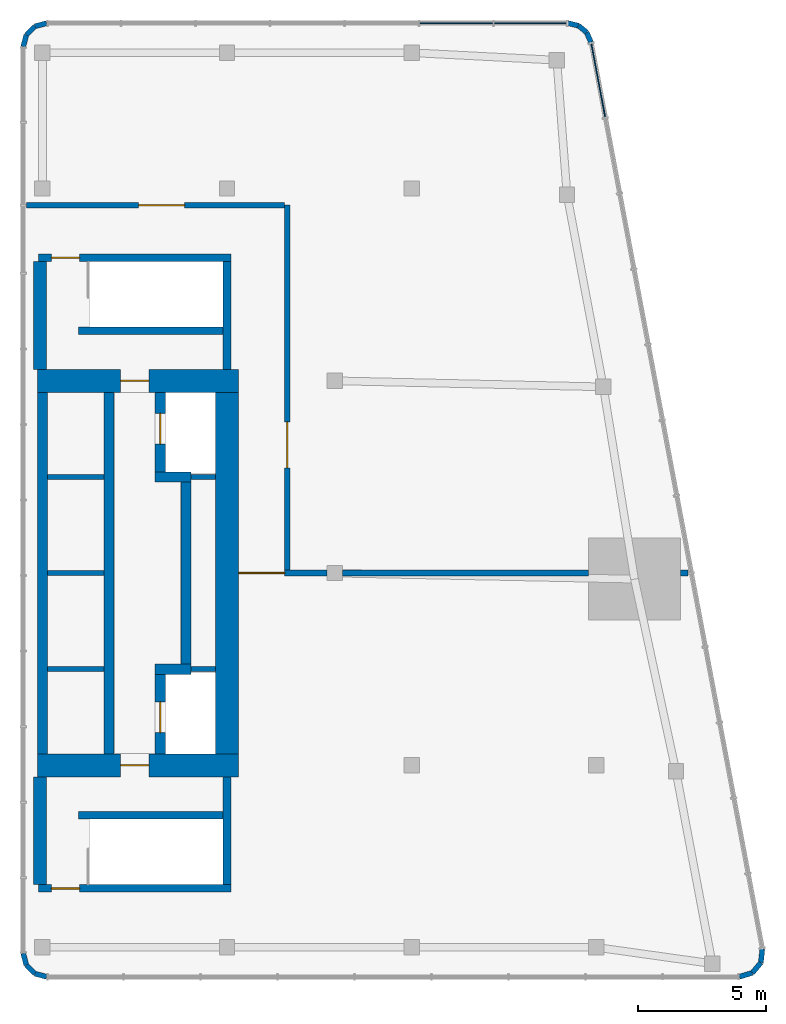
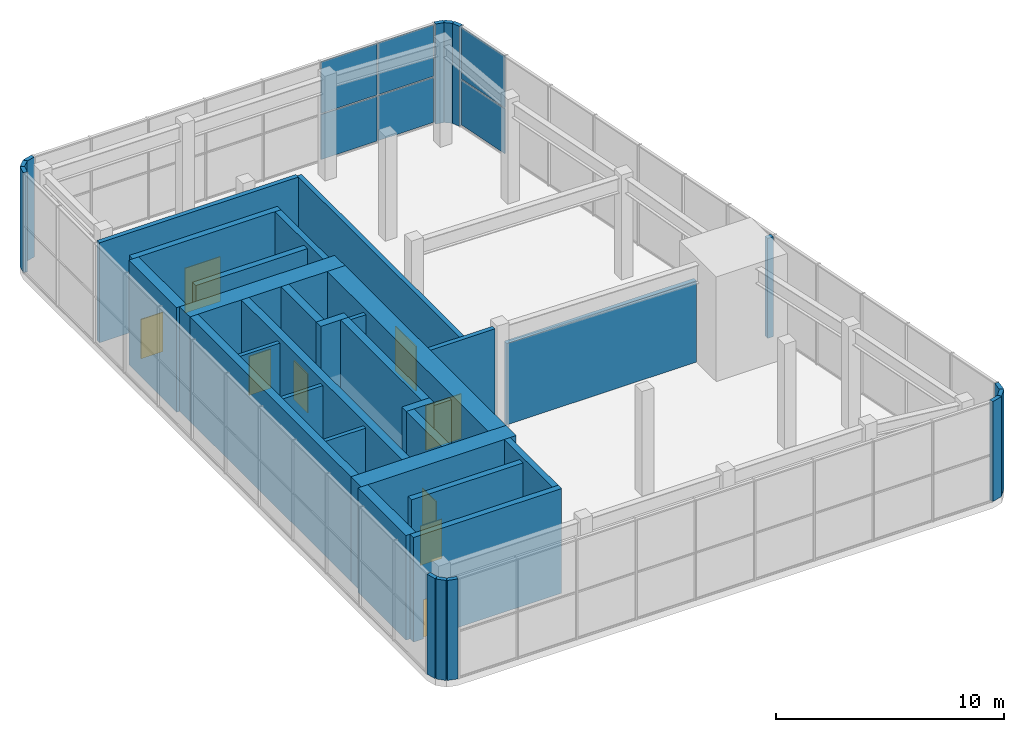
# One storey, part 5 of 6: 40 walls, 9 doors, 6 plates, 9 openings, 2 elements without a shape of their own.
"""IFC4 building model written with IfcOpenShell, lengths in metres."""

from ifc_helpers import new_model, si_unit, direction, frame, frame_2d, origin, origin_2d, place, context, subcontext, project, spatial, rectangle, extrude, material, layer, layer_set, type_object, element, fill, aggregate, save


model = new_model("IFC4")

# Units and contexts
model_context = context("Model", 3, precision=1e-05, world=origin(), true_north=direction((0.0, 1.0)))
body_context = subcontext(model_context, "Body", "Model", "MODEL_VIEW")
ifc_project = project(units=[si_unit("LENGTHUNIT", "METRE"), si_unit("AREAUNIT", "SQUARE_METRE"), si_unit("VOLUMEUNIT", "CUBIC_METRE"), si_unit("PLANEANGLEUNIT", "RADIAN"), si_unit("MASSUNIT", "GRAM", prefix="KILO")], contexts=[model_context])

# Site, building, storey
site_placement = place(None, origin())
site = spatial("IfcSite", under=ifc_project, at=site_placement, CompositionType="ELEMENT")
building_placement = place(site_placement, origin())
building = spatial("IfcBuilding", under=site, at=building_placement, Name="Sheger Commons Tower", CompositionType="ELEMENT")
storey_placement = place(building_placement, frame((0.0, 0.0, 301.60009765625)))
storey = spatial("IfcBuildingStorey", under=building, at=storey_placement, Name="L77", CompositionType="ELEMENT", Elevation=301.60009765625)

# Curtain wall, plates
ifc_material_1 = material(Name="Black aluminium curtain wall, dark tinted glazing", Category="aluminium")
curtain_wall_type = type_object("IfcCurtainWallType", Name="CURTAIN WALL CW6 LANTERN", PredefinedType="USERDEFINED", material=ifc_material_1)
curtain_wall_1_placement = place(storey_placement, origin())
curtain_wall_1 = element("IfcCurtainWall", 1, at=curtain_wall_1_placement, inside=storey, type_object=curtain_wall_type, Name="Curtain Wall Cw6 Lantern E1 L77", ObjectType="UNITISED CURTAIN WALL", PredefinedType="USERDEFINED")
ifc_material_2 = material(Name="Dark tinted double glazing, laminated inner and outer panes", Category="glass")
ifc_layer_1 = layer(ifc_material_2, 0.0439453125)
ifc_layer_set_1 = layer_set([ifc_layer_1], Name="GLAZED PANEL 44")
plate_type = type_object("IfcPlateType", Name="GLAZED PANEL 44", PredefinedType="CURTAIN_PANEL", material=ifc_layer_set_1)
plate_1_placement = place(storey_placement, frame((43.283447265625, 41.71630859375, 0.06494140625), z_axis=(0.0, 0.0, 1.0), x_axis=(-0.185613331041, 0.982622863229, 0.0)))
plate_1 = element("IfcPlate", 2, at=plate_1_placement, type_object=plate_type, Name="CW6 panel 12.1", PredefinedType="CURTAIN_PANEL", context=body_context, shape_type="SweptSolid", body=[
    extrude(rectangle(XDim=2.902099609375, YDim=0.0439453125, at=origin_2d()), origin(), (0.0, 0.0, 1.0), 2.402587890625),
])
plate_2_placement = place(storey_placement, frame((43.283447265625, 41.71630859375, 2.532470703125), z_axis=(0.0, 0.0, 1.0), x_axis=(-0.185613331041, 0.982622863229, 0.0)))
plate_2 = element("IfcPlate", 3, at=plate_2_placement, type_object=plate_type, Name="CW6 panel 12.2", PredefinedType="CURTAIN_PANEL", context=body_context, shape_type="SweptSolid", body=[
    extrude(rectangle(XDim=2.902099609375, YDim=0.0439453125, at=origin_2d()), origin(), (0.0, 0.0, 1.0), 2.75244140625),
])
aggregate(curtain_wall_1, [plate_1, plate_2])

curtain_wall_2_placement = place(storey_placement, origin())
curtain_wall_2 = element("IfcCurtainWall", 4, at=curtain_wall_2_placement, inside=storey, type_object=curtain_wall_type, Name="Curtain Wall Cw6 Lantern N1 L77", ObjectType="UNITISED CURTAIN WALL", PredefinedType="USERDEFINED")
plate_3_placement = place(storey_placement, frame((40.6337890625, 43.949951171875, 0.06494140625), z_axis=(0.0, 0.0, 1.0), x_axis=(-1.0, 0.0, 0.0)))
plate_3 = element("IfcPlate", 5, at=plate_3_placement, type_object=plate_type, Name="CW6 panel 1.1", PredefinedType="CURTAIN_PANEL", context=body_context, shape_type="SweptSolid", body=[
    extrude(rectangle(XDim=2.80810546875, YDim=0.0439453125, at=origin_2d()), origin(), (0.0, 0.0, 1.0), 2.402587890625),
])
plate_4_placement = place(storey_placement, frame((40.6337890625, 43.949951171875, 2.532470703125), z_axis=(0.0, 0.0, 1.0), x_axis=(-1.0, 0.0, 0.0)))
plate_4 = element("IfcPlate", 6, at=plate_4_placement, type_object=plate_type, Name="CW6 panel 1.2", PredefinedType="CURTAIN_PANEL", context=body_context, shape_type="SweptSolid", body=[
    extrude(rectangle(XDim=2.80810546875, YDim=0.0439453125, at=origin_2d()), origin(), (0.0, 0.0, 1.0), 2.75244140625),
])
plate_5_placement = place(storey_placement, frame((37.744384765625, 43.949951171875, 0.06494140625), z_axis=(0.0, 0.0, 1.0), x_axis=(-1.0, 0.0, 0.0)))
plate_5 = element("IfcPlate", 7, at=plate_5_placement, type_object=plate_type, Name="CW6 panel 2.1", PredefinedType="CURTAIN_PANEL", context=body_context, shape_type="SweptSolid", body=[
    extrude(rectangle(XDim=2.8408203125, YDim=0.0439453125, at=origin_2d()), origin(), (0.0, 0.0, 1.0), 2.402587890625),
])
plate_6_placement = place(storey_placement, frame((37.744384765625, 43.949951171875, 2.532470703125), z_axis=(0.0, 0.0, 1.0), x_axis=(-1.0, 0.0, 0.0)))
plate_6 = element("IfcPlate", 8, at=plate_6_placement, type_object=plate_type, Name="CW6 panel 2.2", PredefinedType="CURTAIN_PANEL", context=body_context, shape_type="SweptSolid", body=[
    extrude(rectangle(XDim=2.8408203125, YDim=0.0439453125, at=origin_2d()), origin(), (0.0, 0.0, 1.0), 2.75244140625),
])
aggregate(curtain_wall_2, [plate_3, plate_4, plate_5, plate_6])

# Walls
ifc_material_3 = material(Name="Concrete C50/60", Category="concrete")
ifc_layer_2 = layer(ifc_material_3, 0.39990234375)
ifc_layer_set_2 = layer_set([ifc_layer_2], Name="CORE INNER WALL 400")
wall_type_1 = type_object("IfcWallType", Name="CORE INNER WALL 400", PredefinedType="SHEAR", material=ifc_layer_set_2)
for number, where, z_axis, x_axis, name in (
    (9, (21.60009765625, 15.449951171875, 0.0), (0.0, 0.0, 1.0), (0.0, 1.0, 0.0), "Core inner wall L L77"),
    (10, (24.199951171875, 15.449951171875, 0.0), (0.0, 0.0, 1.0), (0.0, 1.0, 0.0), "Core inner wall B L77"),
):
    element("IfcWall", number, at=place(storey_placement, frame(where, z_axis=z_axis, x_axis=x_axis)), inside=storey, type_object=wall_type_1, Name=name, PredefinedType="SHEAR", context=body_context, shape_type="SweptSolid", body=[
        extrude(rectangle(XDim=14.10009765625, YDim=0.39990234375, at=frame_2d((7.050048828125, 0.0))), origin(), (0.0, 0.0, 1.0), 5.599853515625),
    ])

# Wall, opening, door
wall_1_placement = place(storey_placement, frame((26.199951171875, 15.449951171875, 0.0), z_axis=(0.0, 0.0, 1.0), x_axis=(0.0, 1.0, 0.0)))
wall_1 = element("IfcWall", 11, at=wall_1_placement, inside=storey, type_object=wall_type_1, Name="Core inner wall F L77", PredefinedType="SHEAR", context=body_context, shape_type="SweptSolid", body=[
    extrude(rectangle(XDim=3.10009765625, YDim=0.39990234375, at=frame_2d((1.550048828125, 0.0))), origin(), (0.0, 0.0, 1.0), 5.599853515625),
])
opening_1_placement = place(wall_1_placement, frame((0.824951171875, 0.0, 0.0)))
opening_1 = element("IfcOpeningElement", 12, at=opening_1_placement, cuts=wall_1, Name="Opening LD2", PredefinedType="OPENING", context=body_context, shape_type="SweptSolid", body=[
    extrude(rectangle(XDim=1.199951171875, YDim=2.10009765625, at=frame_2d((0.60009765625, 1.050048828125))), frame((0.0, 0.2099609375, 0.0), z_axis=(0.0, -1.0, 0.0), x_axis=(1.0, 0.0, 0.0)), (0.0, 0.0, 1.0), 0.419921875),
])
ifc_material_4 = material(Name="Steel door set, fire rated", Category="steel")
door_type_1 = type_object("IfcDoorType", Name="FIREFIGHTING LIFT LANDING DOOR 1200x2100", OperationType="DOUBLE_DOOR_SLIDING", PredefinedType="DOOR", material=ifc_material_4)
door_1_placement = place(opening_1_placement, origin())
door_1 = element("IfcDoor", 13, at=door_1_placement, inside=storey, type_object=door_type_1, Name="Lift FL1 landing door", OperationType="DOUBLE_DOOR_SLIDING", OverallHeight=2.10009765625, OverallWidth=1.199951171875, PredefinedType="DOOR", context=body_context, shape_type="SweptSolid", body=[
    extrude(rectangle(XDim=1.199951171875, YDim=2.10009765625, at=frame_2d((0.60009765625, 1.050048828125))), frame((0.0, 0.02490234375, 0.0), z_axis=(0.0, -1.0, 0.0), x_axis=(1.0, 0.0, 0.0)), (0.0, 0.0, 1.0), 0.050048828125),
])
fill(opening_1, door_1)

# Walls
wall_2_placement = place(storey_placement, frame((26.0, 18.75, 0.0), z_axis=(0.0, 0.0, 1.0), x_axis=(1.0, 0.0, 0.0)))
element("IfcWall", 14, at=wall_2_placement, inside=storey, type_object=wall_type_1, Name="Core inner wall F south return L77", PredefinedType="SHEAR", context=body_context, shape_type="SweptSolid", body=[
    extrude(rectangle(XDim=1.39990234375, YDim=0.39990234375, at=frame_2d((0.699951171875, 0.0))), origin(), (0.0, 0.0, 1.0), 5.599853515625),
])
wall_3_placement = place(storey_placement, frame((27.199951171875, 18.949951171875, 0.0), z_axis=(0.0, 0.0, 1.0), x_axis=(0.0, 1.0, 0.0)))
element("IfcWall", 15, at=wall_3_placement, inside=storey, type_object=wall_type_1, Name="Core inner wall F middle L77", PredefinedType="SHEAR", context=body_context, shape_type="SweptSolid", body=[
    extrude(rectangle(XDim=7.10009765625, YDim=0.39990234375, at=frame_2d((3.550048828125, 0.0))), origin(), (0.0, 0.0, 1.0), 5.599853515625),
])
wall_4_placement = place(storey_placement, frame((26.0, 26.25, 0.0), z_axis=(0.0, 0.0, 1.0), x_axis=(1.0, 0.0, 0.0)))
element("IfcWall", 16, at=wall_4_placement, inside=storey, type_object=wall_type_1, Name="Core inner wall F north return L77", PredefinedType="SHEAR", context=body_context, shape_type="SweptSolid", body=[
    extrude(rectangle(XDim=1.39990234375, YDim=0.39990234375, at=frame_2d((0.699951171875, 0.0))), origin(), (0.0, 0.0, 1.0), 5.599853515625),
])

# Wall, opening, door
wall_5_placement = place(storey_placement, frame((26.199951171875, 26.449951171875, 0.0), z_axis=(0.0, 0.0, 1.0), x_axis=(0.0, 1.0, 0.0)))
wall_5 = element("IfcWall", 17, at=wall_5_placement, inside=storey, type_object=wall_type_1, Name="Core inner wall F north L77", PredefinedType="SHEAR", context=body_context, shape_type="SweptSolid", body=[
    extrude(rectangle(XDim=3.10009765625, YDim=0.39990234375, at=frame_2d((1.550048828125, 0.0))), origin(), (0.0, 0.0, 1.0), 5.599853515625),
])
opening_2_placement = place(wall_5_placement, frame((1.074951171875, 0.0, 0.0)))
opening_2 = element("IfcOpeningElement", 18, at=opening_2_placement, cuts=wall_5, Name="Opening LD2", PredefinedType="OPENING", context=body_context, shape_type="SweptSolid", body=[
    extrude(rectangle(XDim=1.199951171875, YDim=2.10009765625, at=frame_2d((0.60009765625, 1.050048828125))), frame((0.0, 0.2099609375, 0.0), z_axis=(0.0, -1.0, 0.0), x_axis=(1.0, 0.0, 0.0)), (0.0, 0.0, 1.0), 0.419921875),
])
door_2_placement = place(opening_2_placement, origin())
door_2 = element("IfcDoor", 19, at=door_2_placement, inside=storey, type_object=door_type_1, Name="Lift FL2 landing door", OperationType="DOUBLE_DOOR_SLIDING", OverallHeight=2.10009765625, OverallWidth=1.199951171875, PredefinedType="DOOR", context=body_context, shape_type="SweptSolid", body=[
    extrude(rectangle(XDim=1.199951171875, YDim=2.10009765625, at=frame_2d((0.60009765625, 1.050048828125))), frame((0.0, 0.02490234375, 0.0), z_axis=(0.0, -1.0, 0.0), x_axis=(1.0, 0.0, 0.0)), (0.0, 0.0, 1.0), 0.050048828125),
])
fill(opening_2, door_2)

ifc_material_5 = material(Name="Concrete C50/60", Category="concrete")
ifc_layer_3 = layer(ifc_material_5, 0.89990234375)
ifc_layer_set_3 = layer_set([ifc_layer_3], Name="CORE WALL 900")
wall_type_2 = type_object("IfcWallType", Name="CORE WALL 900", PredefinedType="SHEAR", material=ifc_layer_set_3)
wall_6_placement = place(storey_placement, frame((21.39990234375, 15.0, 0.0), z_axis=(0.0, 0.0, 1.0), x_axis=(1.0, 0.0, 0.0)))
wall_6 = element("IfcWall", 20, at=wall_6_placement, inside=storey, type_object=wall_type_2, Name="Core wall south L77", PredefinedType="SHEAR", context=body_context, shape_type="SweptSolid", body=[
    extrude(rectangle(XDim=7.85009765625, YDim=0.89990234375, at=frame_2d((3.925048828125, 0.0))), origin(), (0.0, 0.0, 1.0), 5.599853515625),
])
opening_3_placement = place(wall_6_placement, frame((3.25, 0.0, 0.0)))
opening_3 = element("IfcOpeningElement", 21, at=opening_3_placement, cuts=wall_6, Name="Opening D5", PredefinedType="OPENING", context=body_context, shape_type="SweptSolid", body=[
    extrude(rectangle(XDim=1.10009765625, YDim=2.10009765625, at=frame_2d((0.550048828125, 1.050048828125))), frame((0.0, 0.4599609375, 0.0), z_axis=(0.0, -1.0, 0.0), x_axis=(1.0, 0.0, 0.0)), (0.0, 0.0, 1.0), 0.919921875),
])
ifc_material_6 = material(Name="Steel door set, fire rated", Category="steel")
door_type_2 = type_object("IfcDoorType", Name="STAIR DOOR 1100x2100", OperationType="NOTDEFINED", PredefinedType="DOOR", material=ifc_material_6)
door_3_placement = place(opening_3_placement, origin())
door_3 = element("IfcDoor", 22, at=door_3_placement, inside=storey, type_object=door_type_2, Name="Fire-fighting lobby door", OperationType="SINGLE_SWING_RIGHT", OverallHeight=2.10009765625, OverallWidth=1.10009765625, PredefinedType="DOOR", context=body_context, shape_type="SweptSolid", body=[
    extrude(rectangle(XDim=1.10009765625, YDim=2.10009765625, at=frame_2d((0.550048828125, 1.050048828125))), frame((0.0, 0.02490234375, 0.0), z_axis=(0.0, -1.0, 0.0), x_axis=(1.0, 0.0, 0.0)), (0.0, 0.0, 1.0), 0.050048828125),
])
fill(opening_3, door_3)

wall_7_placement = place(storey_placement, frame((21.39990234375, 30.0, 0.0), z_axis=(0.0, 0.0, 1.0), x_axis=(1.0, 0.0, 0.0)))
wall_7 = element("IfcWall", 23, at=wall_7_placement, inside=storey, type_object=wall_type_2, Name="Core wall north L77", PredefinedType="SHEAR", context=body_context, shape_type="SweptSolid", body=[
    extrude(rectangle(XDim=7.85009765625, YDim=0.89990234375, at=frame_2d((3.925048828125, 0.0))), origin(), (0.0, 0.0, 1.0), 5.599853515625),
])
opening_4_placement = place(wall_7_placement, frame((3.25, 0.0, 0.0)))
opening_4 = element("IfcOpeningElement", 24, at=opening_4_placement, cuts=wall_7, Name="Opening D5", PredefinedType="OPENING", context=body_context, shape_type="SweptSolid", body=[
    extrude(rectangle(XDim=1.10009765625, YDim=2.10009765625, at=frame_2d((0.550048828125, 1.050048828125))), frame((0.0, 0.4599609375, 0.0), z_axis=(0.0, -1.0, 0.0), x_axis=(1.0, 0.0, 0.0)), (0.0, 0.0, 1.0), 0.919921875),
])
door_4_placement = place(opening_4_placement, origin())
door_4 = element("IfcDoor", 25, at=door_4_placement, inside=storey, type_object=door_type_2, Name="Fire-fighting lobby door", OperationType="SINGLE_SWING_RIGHT", OverallHeight=2.10009765625, OverallWidth=1.10009765625, PredefinedType="DOOR", context=body_context, shape_type="SweptSolid", body=[
    extrude(rectangle(XDim=1.10009765625, YDim=2.10009765625, at=frame_2d((0.550048828125, 1.050048828125))), frame((0.0, 0.02490234375, 0.0), z_axis=(0.0, -1.0, 0.0), x_axis=(1.0, 0.0, 0.0)), (0.0, 0.0, 1.0), 0.050048828125),
])
fill(opening_4, door_4)

# Walls
wall_8_placement = place(storey_placement, frame((28.800048828125, 15.449951171875, 0.0), z_axis=(0.0, 0.0, 1.0), x_axis=(0.0, 1.0, 0.0)))
element("IfcWall", 26, at=wall_8_placement, inside=storey, type_object=wall_type_2, Name="Core wall east L77", PredefinedType="SHEAR", context=body_context, shape_type="SweptSolid", body=[
    extrude(rectangle(XDim=14.10009765625, YDim=0.89990234375, at=frame_2d((7.050048828125, 0.0))), origin(), (0.0, 0.0, 1.0), 5.599853515625),
])
ifc_material_7 = material(Name="Rendered concrete block masonry, dark grey", Category="masonry")
ifc_layer_4 = layer(ifc_material_7, 0.199951171875)
ifc_layer_set_4 = layer_set([ifc_layer_4], Name="FACADE WALL 200")
wall_type_3 = type_object("IfcWallType", Name="FACADE WALL 200", PredefinedType="SOLIDWALL", material=ifc_layer_set_4)
wall_9_placement = place(storey_placement, frame((48.787109375, 6.75, 0.0), z_axis=(0.0, 0.0, 1.0), x_axis=(0.957282247819, 0.289155145225, 0.0)))
element("IfcWall", 27, at=wall_9_placement, inside=storey, type_object=wall_type_3, Name="Facade wall L77", PredefinedType="SOLIDWALL", context=body_context, shape_type="SweptSolid", body=[
    extrude(rectangle(XDim=0.53271484375, YDim=0.199951171875, at=frame_2d((0.266357421875, 0.0))), origin(), (0.0, 0.0, 1.0), 5.349853515625),
])
wall_10_placement = place(storey_placement, frame((49.297119140625, 6.904052734375, 0.0), z_axis=(0.0, 0.0, 1.0), x_axis=(0.639255849474, 0.768994121508, 0.0)))
element("IfcWall", 28, at=wall_10_placement, inside=storey, type_object=wall_type_3, Name="Facade wall L77", PredefinedType="SOLIDWALL", context=body_context, shape_type="SweptSolid", body=[
    extrude(rectangle(XDim=0.517578125, YDim=0.199951171875, at=frame_2d((0.2587890625, 0.0))), origin(), (0.0, 0.0, 1.0), 5.349853515625),
])
wall_11_placement = place(storey_placement, frame((49.6279296875, 7.302001953125, 0.0), z_axis=(0.0, 0.0, 1.0), x_axis=(0.105352390132, 0.994434952068, 0.0)))
element("IfcWall", 29, at=wall_11_placement, inside=storey, type_object=wall_type_3, Name="Facade wall L77", PredefinedType="SOLIDWALL", context=body_context, shape_type="SweptSolid", body=[
    extrude(rectangle(XDim=0.532958984375, YDim=0.199951171875, at=frame_2d((0.2666015625, 0.0))), origin(), (0.0, 0.0, 1.0), 5.349853515625),
])
wall_12_placement = place(storey_placement, frame((43.001953125, 43.2060546875, 0.0), z_axis=(0.0, 0.0, 1.0), x_axis=(-0.40678170573, 0.913525393124, 0.0)))
element("IfcWall", 30, at=wall_12_placement, inside=storey, type_object=wall_type_3, Name="Facade wall L77", PredefinedType="SOLIDWALL", context=body_context, shape_type="SweptSolid", body=[
    extrude(rectangle(XDim=0.422607421875, YDim=0.199951171875, at=frame_2d((0.21142578125, 0.0))), origin(), (0.0, 0.0, 1.0), 5.349853515625),
])
wall_13_placement = place(storey_placement, frame((42.830078125, 43.592041015625, 0.0), z_axis=(0.0, 0.0, 1.0), x_axis=(-0.771190539797, 0.636604391539, 0.0)))
element("IfcWall", 31, at=wall_13_placement, inside=storey, type_object=wall_type_3, Name="Facade wall L77", PredefinedType="SOLIDWALL", context=body_context, shape_type="SweptSolid", body=[
    extrude(rectangle(XDim=0.409912109375, YDim=0.199951171875, at=frame_2d((0.205078125, 0.0))), origin(), (0.0, 0.0, 1.0), 5.349853515625),
])
wall_14_placement = place(storey_placement, frame((42.513916015625, 43.85302734375, 0.0), z_axis=(0.0, 0.0, 1.0), x_axis=(-0.973288080424, 0.229587265555, 0.0)))
element("IfcWall", 32, at=wall_14_placement, inside=storey, type_object=wall_type_3, Name="Facade wall L77", PredefinedType="SOLIDWALL", context=body_context, shape_type="SweptSolid", body=[
    extrude(rectangle(XDim=0.422119140625, YDim=0.199951171875, at=frame_2d((0.2109375, 0.0))), origin(), (0.0, 0.0, 1.0), 5.349853515625),
])
wall_15_placement = place(storey_placement, frame((21.762939453125, 43.949951171875, 0.0), z_axis=(0.0, 0.0, 1.0), x_axis=(-0.965655254015, -0.259826731483, 0.0)))
element("IfcWall", 33, at=wall_15_placement, inside=storey, type_object=wall_type_3, Name="Facade wall L77", PredefinedType="SOLIDWALL", context=body_context, shape_type="SweptSolid", body=[
    extrude(rectangle(XDim=0.477294921875, YDim=0.199951171875, at=frame_2d((0.23876953125, 0.0))), origin(), (0.0, 0.0, 1.0), 5.349853515625),
])
wall_16_placement = place(storey_placement, frame((21.302001953125, 43.825927734375, 0.0), z_axis=(0.0, 0.0, 1.0), x_axis=(-0.707106781187, -0.707106781187, 0.0)))
element("IfcWall", 34, at=wall_16_placement, inside=storey, type_object=wall_type_3, Name="Facade wall L77", PredefinedType="SOLIDWALL", context=body_context, shape_type="SweptSolid", body=[
    extrude(rectangle(XDim=0.463623046875, YDim=0.199951171875, at=frame_2d((0.23193359375, 0.0))), origin(), (0.0, 0.0, 1.0), 5.349853515625),
])
wall_17_placement = place(storey_placement, frame((20.97412109375, 43.498046875, 0.0), z_axis=(0.0, 0.0, 1.0), x_axis=(-0.259826731483, -0.965655254015, 0.0)))
element("IfcWall", 35, at=wall_17_placement, inside=storey, type_object=wall_type_3, Name="Facade wall L77", PredefinedType="SOLIDWALL", context=body_context, shape_type="SweptSolid", body=[
    extrude(rectangle(XDim=0.477294921875, YDim=0.199951171875, at=frame_2d((0.23876953125, 0.0))), origin(), (0.0, 0.0, 1.0), 5.349853515625),
])
wall_18_placement = place(storey_placement, frame((20.85009765625, 7.6630859375, 0.0), z_axis=(0.0, 0.0, 1.0), x_axis=(0.259698463175, -0.965689757751, 0.0)))
element("IfcWall", 36, at=wall_18_placement, inside=storey, type_object=wall_type_3, Name="Facade wall L77", PredefinedType="SOLIDWALL", context=body_context, shape_type="SweptSolid", body=[
    extrude(rectangle(XDim=0.4775390625, YDim=0.199951171875, at=frame_2d((0.23876953125, 0.0))), origin(), (0.0, 0.0, 1.0), 5.349853515625),
])
wall_19_placement = place(storey_placement, frame((20.97412109375, 7.201904296875, 0.0), z_axis=(0.0, 0.0, 1.0), x_axis=(0.707106781187, -0.707106781187, 0.0)))
element("IfcWall", 37, at=wall_19_placement, inside=storey, type_object=wall_type_3, Name="Facade wall L77", PredefinedType="SOLIDWALL", context=body_context, shape_type="SweptSolid", body=[
    extrude(rectangle(XDim=0.463623046875, YDim=0.199951171875, at=frame_2d((0.23193359375, 0.0))), origin(), (0.0, 0.0, 1.0), 5.349853515625),
])
wall_20_placement = place(storey_placement, frame((21.302001953125, 6.8740234375, 0.0), z_axis=(0.0, 0.0, 1.0), x_axis=(0.965655254015, -0.259826731483, 0.0)))
element("IfcWall", 38, at=wall_20_placement, inside=storey, type_object=wall_type_3, Name="Facade wall L77", PredefinedType="SOLIDWALL", context=body_context, shape_type="SweptSolid", body=[
    extrude(rectangle(XDim=0.477294921875, YDim=0.199951171875, at=frame_2d((0.23876953125, 0.0))), origin(), (0.0, 0.0, 1.0), 5.349853515625),
])

# Wall, opening, door
ifc_material_8 = material(Name="Dense concrete block masonry, skimmed both sides", Category="masonry")
ifc_layer_5 = layer(ifc_material_8, 0.22509765625)
ifc_layer_set_5 = layer_set([ifc_layer_5], Name="FIRE WALL 225")
wall_type_4 = type_object("IfcWallType", Name="FIRE WALL 225", PredefinedType="SOLIDWALL", material=ifc_layer_set_5)
wall_21_placement = place(storey_placement, frame((29.25, 22.5, 0.0), z_axis=(0.0, 0.0, 1.0), x_axis=(1.0, 0.0, 0.0)))
wall_21 = element("IfcWall", 39, at=wall_21_placement, inside=storey, type_object=wall_type_4, Name="Plant room wall L77", PredefinedType="SOLIDWALL", context=body_context, shape_type="SweptSolid", body=[
    extrude(rectangle(XDim=3.448974609375, YDim=0.22509765625, at=frame_2d((1.724609375, 0.0))), origin(), (0.0, 0.0, 1.0), 5.349853515625),
])
opening_5_placement = place(wall_21_placement, origin())
opening_5 = element("IfcOpeningElement", 40, at=opening_5_placement, cuts=wall_21, Name="Opening D7", PredefinedType="OPENING", context=body_context, shape_type="SweptSolid", body=[
    extrude(rectangle(XDim=1.800048828125, YDim=2.39990234375, at=frame_2d((0.89990234375, 1.199951171875))), frame((0.0, 0.12255859375, 0.0), z_axis=(0.0, -1.0, 0.0), x_axis=(1.0, 0.0, 0.0)), (0.0, 0.0, 1.0), 0.2451171875),
])
ifc_material_9 = material(Name="Steel door set, fire rated", Category="steel")
door_type_3 = type_object("IfcDoorType", Name="PLANT DOUBLE DOOR 1800x2400", OperationType="DOUBLE_DOOR_SINGLE_SWING", PredefinedType="DOOR", material=ifc_material_9)
door_5_placement = place(opening_5_placement, origin())
door_5 = element("IfcDoor", 41, at=door_5_placement, inside=storey, type_object=door_type_3, Name="Mechanical plant room door", OperationType="DOUBLE_DOOR_SINGLE_SWING", OverallHeight=2.39990234375, OverallWidth=1.800048828125, PredefinedType="DOOR", context=body_context, shape_type="SweptSolid", body=[
    extrude(rectangle(XDim=1.800048828125, YDim=2.39990234375, at=frame_2d((0.89990234375, 1.199951171875))), frame((0.0, 0.02490234375, 0.0), z_axis=(0.0, -1.0, 0.0), x_axis=(1.0, 0.0, 0.0)), (0.0, 0.0, 1.0), 0.050048828125),
])
fill(opening_5, door_5)

# Walls
wall_22_placement = place(storey_placement, frame((33.301025390625, 22.5, 0.0), z_axis=(0.0, 0.0, 1.0), x_axis=(1.0, 0.0, 0.0)))
element("IfcWall", 42, at=wall_22_placement, inside=storey, type_object=wall_type_4, Name="Plant room wall L77", PredefinedType="SOLIDWALL", context=body_context, shape_type="SweptSolid", body=[
    extrude(rectangle(XDim=9.594970703125, YDim=0.22509765625, at=frame_2d((4.79736328125, 0.0))), origin(), (0.0, 0.0, 1.0), 4.349853515625),
])
wall_23_placement = place(storey_placement, frame((46.498046875, 22.5, 0.0), z_axis=(0.0, 0.0, 1.0), x_axis=(1.0, 0.0, 0.0)))
element("IfcWall", 43, at=wall_23_placement, inside=storey, type_object=wall_type_4, Name="Plant room wall L77", PredefinedType="SOLIDWALL", context=body_context, shape_type="SweptSolid", body=[
    extrude(rectangle(XDim=0.287841796875, YDim=0.22509765625, at=frame_2d((0.14404296875, 0.0))), origin(), (0.0, 0.0, 1.0), 5.349853515625),
])

# Wall, opening, door
wall_24_placement = place(storey_placement, frame((20.97509765625, 36.85009765625, 0.0), z_axis=(0.0, 0.0, 1.0), x_axis=(1.0, 0.0, 0.0)))
wall_24 = element("IfcWall", 44, at=wall_24_placement, inside=storey, type_object=wall_type_4, Name="Plant room wall L77", PredefinedType="SOLIDWALL", context=body_context, shape_type="SweptSolid", body=[
    extrude(rectangle(XDim=10.06201171875, YDim=0.22509765625, at=frame_2d((5.031005859375, 0.0))), origin(), (0.0, 0.0, 1.0), 5.349853515625),
])
opening_6_placement = place(wall_24_placement, frame((4.375, 0.0, 0.0)))
opening_6 = element("IfcOpeningElement", 45, at=opening_6_placement, cuts=wall_24, Name="Opening D7", PredefinedType="OPENING", context=body_context, shape_type="SweptSolid", body=[
    extrude(rectangle(XDim=1.800048828125, YDim=2.39990234375, at=frame_2d((0.89990234375, 1.199951171875))), frame((0.0, 0.12255859375, 0.0), z_axis=(0.0, -1.0, 0.0), x_axis=(1.0, 0.0, 0.0)), (0.0, 0.0, 1.0), 0.2451171875),
])
door_6_placement = place(opening_6_placement, origin())
door_6 = element("IfcDoor", 46, at=door_6_placement, inside=storey, type_object=door_type_3, Name="Electrical plant room door", OperationType="DOUBLE_DOOR_SINGLE_SWING", OverallHeight=2.39990234375, OverallWidth=1.800048828125, PredefinedType="DOOR", context=body_context, shape_type="SweptSolid", body=[
    extrude(rectangle(XDim=1.800048828125, YDim=2.39990234375, at=frame_2d((0.89990234375, 1.199951171875))), frame((0.0, 0.02490234375, 0.0), z_axis=(0.0, -1.0, 0.0), x_axis=(1.0, 0.0, 0.0)), (0.0, 0.0, 1.0), 0.050048828125),
])
fill(opening_6, door_6)

wall_25_placement = place(storey_placement, frame((31.14990234375, 22.613037109375, 0.0), z_axis=(0.0, 0.0, 1.0), x_axis=(0.0, 1.0, 0.0)))
wall_25 = element("IfcWall", 47, at=wall_25_placement, inside=storey, type_object=wall_type_4, Name="Plant room wall L77", PredefinedType="SOLIDWALL", context=body_context, shape_type="SweptSolid", body=[
    extrude(rectangle(XDim=14.237060546875, YDim=0.22509765625, at=frame_2d((7.11865234375, 0.0))), origin(), (0.0, 0.0, 1.0), 5.349853515625),
])
opening_7_placement = place(wall_25_placement, frame((3.987060546875, 0.0, 0.0)))
opening_7 = element("IfcOpeningElement", 48, at=opening_7_placement, cuts=wall_25, Name="Opening D7", PredefinedType="OPENING", context=body_context, shape_type="SweptSolid", body=[
    extrude(rectangle(XDim=1.800048828125, YDim=2.39990234375, at=frame_2d((0.89990234375, 1.199951171875))), frame((0.0, 0.12255859375, 0.0), z_axis=(0.0, -1.0, 0.0), x_axis=(1.0, 0.0, 0.0)), (0.0, 0.0, 1.0), 0.2451171875),
])
door_7_placement = place(opening_7_placement, origin())
door_7 = element("IfcDoor", 49, at=door_7_placement, inside=storey, type_object=door_type_3, Name="Electrical plant room door", OperationType="DOUBLE_DOOR_SINGLE_SWING", OverallHeight=2.39990234375, OverallWidth=1.800048828125, PredefinedType="DOOR", context=body_context, shape_type="SweptSolid", body=[
    extrude(rectangle(XDim=1.800048828125, YDim=2.39990234375, at=frame_2d((0.89990234375, 1.199951171875))), frame((0.0, 0.02490234375, 0.0), z_axis=(0.0, -1.0, 0.0), x_axis=(1.0, 0.0, 0.0)), (0.0, 0.0, 1.0), 0.050048828125),
])
fill(opening_7, door_7)

# Walls
ifc_material_10 = material(Name="Hollow concrete block masonry", Category="masonry")
ifc_layer_6 = layer(ifc_material_10, 0.199951171875)
ifc_layer_set_6 = layer_set([ifc_layer_6], Name="SHAFT WALL 200")
wall_type_5 = type_object("IfcWallType", Name="SHAFT WALL 200", PredefinedType="SOLIDWALL", material=ifc_layer_set_6)
for number, where, z_axis, x_axis, name in (
    (50, (21.800048828125, 18.75, 0.0), (0.0, 0.0, 1.0), (1.0, 0.0, 0.0), "Lift shaft wall L77"),
    (51, (21.800048828125, 22.5, 0.0), (0.0, 0.0, 1.0), (1.0, 0.0, 0.0), "Lift shaft wall L77"),
    (52, (21.800048828125, 26.25, 0.0), (0.0, 0.0, 1.0), (1.0, 0.0, 0.0), "Lift shaft wall L77"),
):
    element("IfcWall", number, at=place(storey_placement, frame(where, z_axis=z_axis, x_axis=x_axis)), inside=storey, type_object=wall_type_5, Name=name, PredefinedType="SOLIDWALL", context=body_context, shape_type="SweptSolid", body=[
        extrude(rectangle(XDim=2.199951171875, YDim=0.199951171875, at=frame_2d((1.10009765625, 0.0))), origin(), (0.0, 0.0, 1.0), 5.349853515625),
    ])
for number, where, z_axis, x_axis, name in (
    (53, (27.39990234375, 18.75, 0.0), (0.0, 0.0, 1.0), (1.0, 0.0, 0.0), "Lift shaft wall L77"),
    (54, (27.39990234375, 26.25, 0.0), (0.0, 0.0, 1.0), (1.0, 0.0, 0.0), "Lift shaft wall L77"),
):
    element("IfcWall", number, at=place(storey_placement, frame(where, z_axis=z_axis, x_axis=x_axis)), inside=storey, type_object=wall_type_5, Name=name, PredefinedType="SOLIDWALL", context=body_context, shape_type="SweptSolid", body=[
        extrude(rectangle(XDim=0.9501953125, YDim=0.199951171875, at=frame_2d((0.47509765625, 0.0))), origin(), (0.0, 0.0, 1.0), 5.349853515625),
    ])

# Wall, opening, door
ifc_material_11 = material(Name="Concrete C50/60", Category="concrete")
ifc_layer_7 = layer(ifc_material_11, 0.300048828125)
ifc_layer_set_7 = layer_set([ifc_layer_7], Name="STAIR CORE WALL 300")
wall_type_6 = type_object("IfcWallType", Name="STAIR CORE WALL 300", PredefinedType="SHEAR", material=ifc_layer_set_7)
wall_26_placement = place(storey_placement, frame((21.449951171875, 10.199951171875, 0.0), z_axis=(0.0, 0.0, 1.0), x_axis=(1.0, 0.0, 0.0)))
wall_26 = element("IfcWall", 55, at=wall_26_placement, inside=storey, type_object=wall_type_6, Name="STW-L77-S1S", PredefinedType="SHEAR", context=body_context, shape_type="SweptSolid", body=[
    extrude(rectangle(XDim=7.5, YDim=0.300048828125, at=frame_2d((3.75, 0.0))), origin(), (0.0, 0.0, 1.0), 5.599853515625),
])
opening_8_placement = place(wall_26_placement, frame((0.5, 0.0, 0.0)))
opening_8 = element("IfcOpeningElement", 56, at=opening_8_placement, cuts=wall_26, Name="Opening D5", PredefinedType="OPENING", context=body_context, shape_type="SweptSolid", body=[
    extrude(rectangle(XDim=1.10009765625, YDim=2.10009765625, at=frame_2d((0.550048828125, 1.050048828125))), frame((0.0, 0.159912109375, 0.0), z_axis=(0.0, -1.0, 0.0), x_axis=(1.0, 0.0, 0.0)), (0.0, 0.0, 1.0), 0.320068359375),
])
door_8_placement = place(opening_8_placement, origin())
door_8 = element("IfcDoor", 57, at=door_8_placement, inside=storey, type_object=door_type_2, Name="Stair S1 door", OperationType="SINGLE_SWING_LEFT", OverallHeight=2.10009765625, OverallWidth=1.10009765625, PredefinedType="DOOR", context=body_context, shape_type="SweptSolid", body=[
    extrude(rectangle(XDim=1.10009765625, YDim=2.10009765625, at=frame_2d((0.550048828125, 1.050048828125))), frame((0.0, 0.02490234375, 0.0), z_axis=(0.0, -1.0, 0.0), x_axis=(1.0, 0.0, 0.0)), (0.0, 0.0, 1.0), 0.050048828125),
])
fill(opening_8, door_8)

# Wall
wall_27_placement = place(storey_placement, frame((28.800048828125, 10.35009765625, 0.0), z_axis=(0.0, 0.0, 1.0), x_axis=(0.0, 1.0, 0.0)))
element("IfcWall", 58, at=wall_27_placement, inside=storey, type_object=wall_type_6, Name="STW-L77-S1E", PredefinedType="SHEAR", context=body_context, shape_type="SweptSolid", body=[
    extrude(rectangle(XDim=4.199951171875, YDim=0.300048828125, at=frame_2d((2.10009765625, 0.0))), origin(), (0.0, 0.0, 1.0), 5.599853515625),
])

# Wall, opening, door
wall_28_placement = place(storey_placement, frame((21.449951171875, 34.800048828125, 0.0), z_axis=(0.0, 0.0, 1.0), x_axis=(1.0, 0.0, 0.0)))
wall_28 = element("IfcWall", 59, at=wall_28_placement, inside=storey, type_object=wall_type_6, Name="STW-L77-S2N", PredefinedType="SHEAR", context=body_context, shape_type="SweptSolid", body=[
    extrude(rectangle(XDim=7.5, YDim=0.300048828125, at=frame_2d((3.75, 0.0))), origin(), (0.0, 0.0, 1.0), 5.599853515625),
])
opening_9_placement = place(wall_28_placement, frame((0.5, 0.0, 0.0)))
opening_9 = element("IfcOpeningElement", 60, at=opening_9_placement, cuts=wall_28, Name="Opening D5", PredefinedType="OPENING", context=body_context, shape_type="SweptSolid", body=[
    extrude(rectangle(XDim=1.10009765625, YDim=2.10009765625, at=frame_2d((0.550048828125, 1.050048828125))), frame((0.0, 0.159912109375, 0.0), z_axis=(0.0, -1.0, 0.0), x_axis=(1.0, 0.0, 0.0)), (0.0, 0.0, 1.0), 0.320068359375),
])
door_9_placement = place(opening_9_placement, origin())
door_9 = element("IfcDoor", 61, at=door_9_placement, inside=storey, type_object=door_type_2, Name="Stair S2 door", OperationType="SINGLE_SWING_RIGHT", OverallHeight=2.10009765625, OverallWidth=1.10009765625, PredefinedType="DOOR", context=body_context, shape_type="SweptSolid", body=[
    extrude(rectangle(XDim=1.10009765625, YDim=2.10009765625, at=frame_2d((0.550048828125, 1.050048828125))), frame((0.0, 0.02490234375, 0.0), z_axis=(0.0, -1.0, 0.0), x_axis=(1.0, 0.0, 0.0)), (0.0, 0.0, 1.0), 0.050048828125),
])
fill(opening_9, door_9)

# Walls
wall_29_placement = place(storey_placement, frame((28.800048828125, 30.449951171875, 0.0), z_axis=(0.0, 0.0, 1.0), x_axis=(0.0, 1.0, 0.0)))
element("IfcWall", 62, at=wall_29_placement, inside=storey, type_object=wall_type_6, Name="STW-L77-S2E", PredefinedType="SHEAR", context=body_context, shape_type="SweptSolid", body=[
    extrude(rectangle(XDim=4.199951171875, YDim=0.300048828125, at=frame_2d((2.10009765625, 0.0))), origin(), (0.0, 0.0, 1.0), 5.599853515625),
])
ifc_material_12 = material(Name="Concrete C50/60", Category="concrete")
ifc_layer_8 = layer(ifc_material_12, 0.5)
ifc_layer_set_8 = layer_set([ifc_layer_8], Name="STAIR CORE WALL 500")
wall_type_7 = type_object("IfcWallType", Name="STAIR CORE WALL 500", PredefinedType="SHEAR", material=ifc_layer_set_8)
for number, where, z_axis, x_axis, name in (
    (63, (21.5, 10.35009765625, 0.0), (0.0, 0.0, 1.0), (0.0, 1.0, 0.0), "STW-L77-S1W"),
    (64, (21.5, 30.449951171875, 0.0), (0.0, 0.0, 1.0), (0.0, 1.0, 0.0), "STW-L77-S2W"),
):
    element("IfcWall", number, at=place(storey_placement, frame(where, z_axis=z_axis, x_axis=x_axis)), inside=storey, type_object=wall_type_7, Name=name, PredefinedType="SHEAR", context=body_context, shape_type="SweptSolid", body=[
        extrude(rectangle(XDim=4.199951171875, YDim=0.5, at=frame_2d((2.10009765625, 0.0))), origin(), (0.0, 0.0, 1.0), 5.599853515625),
    ])
ifc_material_13 = material(Name="Concrete C50/60", Category="concrete")
ifc_layer_9 = layer(ifc_material_13, 0.300048828125)
ifc_layer_set_9 = layer_set([ifc_layer_9], Name="STAIR SPINE WALL 300")
wall_type_8 = type_object("IfcWallType", Name="STAIR SPINE WALL 300", PredefinedType="SHEAR", material=ifc_layer_set_9)
for number, where, z_axis, x_axis, name in (
    (65, (23.0, 13.050048828125, 0.0), (0.0, 0.0, 1.0), (1.0, 0.0, 0.0), "Stair spine wall L77"),
    (66, (23.0, 31.949951171875, 0.0), (0.0, 0.0, 1.0), (1.0, 0.0, 0.0), "Stair spine wall L77"),
):
    element("IfcWall", number, at=place(storey_placement, frame(where, z_axis=z_axis, x_axis=x_axis)), inside=storey, type_object=wall_type_8, Name=name, PredefinedType="SHEAR", context=body_context, shape_type="SweptSolid", body=[
        extrude(rectangle(XDim=5.800048828125, YDim=0.300048828125, at=frame_2d((2.89990234375, 0.0))), origin(), (0.0, 0.0, 1.0), 5.349853515625),
    ])

save(model, "model.ifc")
